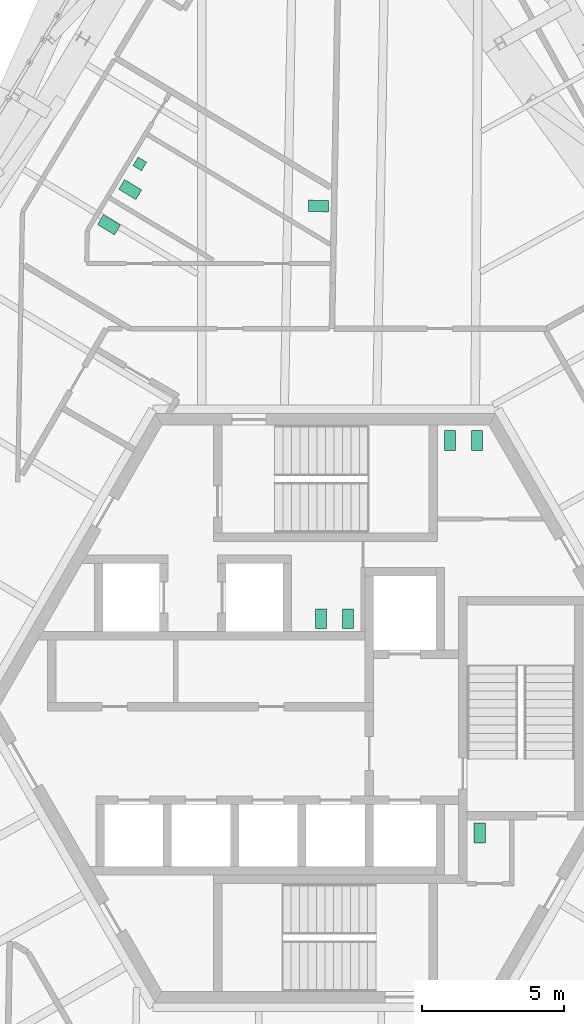
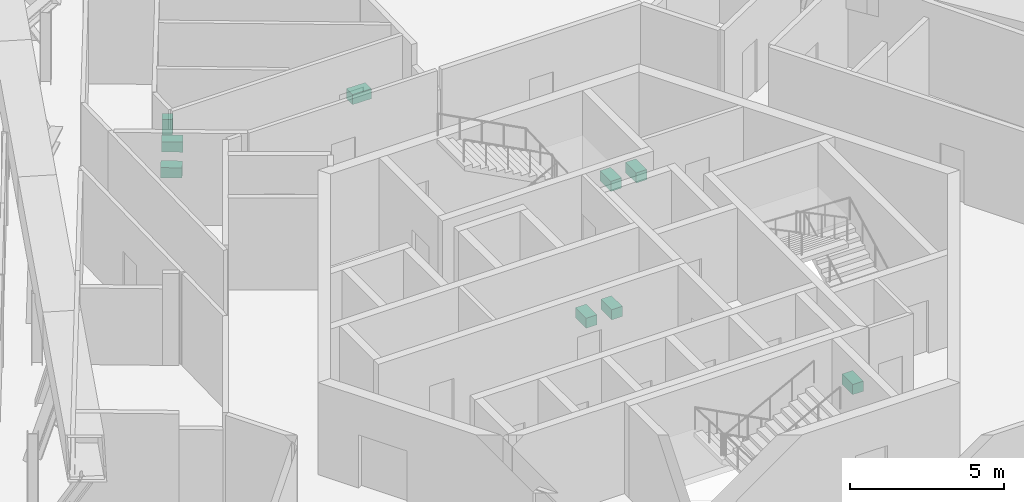
# One storey, part 28 of 28: 9 sanitary terminals.
"""IFC4 building model written with IfcOpenShell, lengths in metres."""

import ifcopenshell
import ifcopenshell.guid

model = None  # the IFC model being written
_history = None  # IfcOwnerHistory: only IFC2X3 demands one
_inside = {}  # id of a spatial element -> (the spatial element, [elements in it])
_under = {}  # id of a project, library or spatial element -> (it, [spatial elements below it])
_declared = {}  # id of a project -> (the project, [libraries it declares])
_typed = {}  # id of a type object -> (the type object, [elements of that type])
_made_of = {}  # id of a material, layer set ... -> (it, [elements and type objects made of it])


def new_model(schema):
    """Start an empty IFC model of exactly this schema.

    Asked for "IFC4X3", IfcOpenShell would pick the latest addendum, in which some entities
    have other attributes; the version numbers below select the first issue.
    IFC2X3 requires an IfcOwnerHistory on every rooted entity: one is made here for all.
    """
    global model, _history
    if schema == "IFC4X3":
        model = ifcopenshell.file(schema_version=(4, 3, 0, 0))
    else:
        model = ifcopenshell.file(schema=schema)
    _inside.clear()
    _under.clear()
    _declared.clear()
    _typed.clear()
    _made_of.clear()
    _history = None
    if model.schema == "IFC2X3":
        org = make("IfcOrganization", Name="unknown")
        user = make(
            "IfcPersonAndOrganization",
            ThePerson=make("IfcPerson", FamilyName="unknown"),
            TheOrganization=org,
        )
        app = make(
            "IfcApplication",
            ApplicationDeveloper=org,
            Version="unknown",
            ApplicationFullName="unknown",
            ApplicationIdentifier="unknown",
        )
        _history = make(
            "IfcOwnerHistory",
            OwningUser=user,
            OwningApplication=app,
            ChangeAction="ADDED",
            CreationDate=0,
        )
    return model


def make(cls, **values):
    """One entity of the class cls with the attributes given. An attribute that is None is left unset."""
    return model.create_entity(
        cls, **{name: value for name, value in values.items() if value is not None}
    )


def rooted(cls, **values):
    """An entity with a GlobalId (a new one), such as an element, a storey or a relation."""
    return make(cls, GlobalId=ifcopenshell.guid.new(), OwnerHistory=_history, **values)


def si_unit(unit_type, name, prefix=None):
    """IfcSIUnit, for example si_unit("LENGTHUNIT", "METRE", prefix="MILLI")."""
    return make("IfcSIUnit", UnitType=unit_type, Prefix=prefix, Name=name)


def assignment(units):
    """IfcUnitAssignment: the units of a project."""
    return None if units is None else make("IfcUnitAssignment", Units=units)


def point(xyz):
    """IfcCartesianPoint."""
    return None if xyz is None else make("IfcCartesianPoint", Coordinates=xyz)


def direction(xyz):
    """IfcDirection."""
    return None if xyz is None else make("IfcDirection", DirectionRatios=xyz)


def frame(location, z_axis=None, x_axis=None):
    """IfcAxis2Placement3D, a coordinate frame: its origin and axes. An axis left out is left unset."""
    return make(
        "IfcAxis2Placement3D",
        Location=point(location),
        Axis=direction(z_axis),
        RefDirection=direction(x_axis),
    )


def frame_2d(location, x_axis=None):
    """IfcAxis2Placement2D, a coordinate frame in the plane: its origin and x axis."""
    return make(
        "IfcAxis2Placement2D", Location=point(location), RefDirection=direction(x_axis)
    )


def origin():
    """The frame at (0, 0, 0) with its axes left unset."""
    return frame((0.0, 0.0, 0.0))


def origin_2d():
    """The frame at (0, 0) in the plane with its x axis left unset."""
    return frame_2d((0.0, 0.0))


def place(relative_to, where):
    """IfcLocalPlacement: puts the frame where relative to a parent placement (None: the world)."""
    return make(
        "IfcLocalPlacement", PlacementRelTo=relative_to, RelativePlacement=where
    )


def context(
    kind, dimensions, precision=None, world=None, true_north=None, identifier=None
):
    """IfcGeometricRepresentationContext, for example the 3D "Model" context."""
    return make(
        "IfcGeometricRepresentationContext",
        ContextIdentifier=identifier,
        ContextType=kind,
        CoordinateSpaceDimension=dimensions,
        Precision=precision,
        WorldCoordinateSystem=world,
        TrueNorth=true_north,
    )


def subcontext(parent, identifier, kind, view, scale=None):
    """IfcGeometricRepresentationSubContext, for example "Body" below "Model"."""
    return make(
        "IfcGeometricRepresentationSubContext",
        ContextIdentifier=identifier,
        ContextType=kind,
        ParentContext=parent,
        TargetScale=scale,
        TargetView=view,
    )


def project(units=None, contexts=None):
    """IfcProject with its units and contexts."""
    return rooted(
        "IfcProject",
        Name="project",
        RepresentationContexts=contexts,
        UnitsInContext=assignment(units),
    )


def spatial(cls, under=None, at=None, **own):
    """A site, building, storey or space (cls), placed at a placement, below another one or the project."""
    s = rooted(cls, ObjectPlacement=at, **own)
    if under is not None:
        _under.setdefault(under.id(), (under, []))[1].append(s)
    return s


def profile(cls, at=None, kind="AREA", **sizes):
    """A parametric profile (cls). Its sizes go by their IFC names, for example OverallWidth=200.0."""
    return make(cls, ProfileType=kind, Position=at, **sizes)


def rectangle(**sizes):
    """IfcRectangleProfileDef."""
    return profile("IfcRectangleProfileDef", **sizes)


def extrude(swept, where, along, depth):
    """IfcExtrudedAreaSolid: the profile swept, set in the frame where, extruded along a direction by depth."""
    return make(
        "IfcExtrudedAreaSolid",
        SweptArea=swept,
        Position=where,
        ExtrudedDirection=direction(along),
        Depth=depth,
    )


def shape(context_of_items, identifier, shape_type, items):
    """IfcShapeRepresentation: the items that make up one representation, for example the "Body"."""
    return make(
        "IfcShapeRepresentation",
        ContextOfItems=context_of_items,
        RepresentationIdentifier=identifier,
        RepresentationType=shape_type,
        Items=items,
    )


def source(mapping_origin, context_of_items, identifier, shape_type, items):
    """IfcRepresentationMap: a shape defined once, which mapped items show again and again."""
    return make(
        "IfcRepresentationMap",
        MappingOrigin=mapping_origin,
        MappedRepresentation=shape(context_of_items, identifier, shape_type, items),
    )


def transform(
    local_origin,
    x_axis=None,
    y_axis=None,
    z_axis=None,
    scale=None,
    scale2=None,
    scale3=None,
    uniform=True,
):
    """IfcCartesianTransformationOperator3D, or its non-uniform kind. x_axis, y_axis, z_axis: its Axis1, 2, 3."""
    if uniform:
        return make(
            "IfcCartesianTransformationOperator3D",
            Axis1=direction(x_axis),
            Axis2=direction(y_axis),
            LocalOrigin=point(local_origin),
            Scale=scale,
            Axis3=direction(z_axis),
        )
    return make(
        "IfcCartesianTransformationOperator3DnonUniform",
        Axis1=direction(x_axis),
        Axis2=direction(y_axis),
        LocalOrigin=point(local_origin),
        Scale=scale,
        Axis3=direction(z_axis),
        Scale2=scale2,
        Scale3=scale3,
    )


def mapped(mapping_source, mapping_target):
    """IfcMappedItem: shows the shape of a source again, moved by a transform."""
    return make(
        "IfcMappedItem", MappingSource=mapping_source, MappingTarget=mapping_target
    )


def material(Name=None, Category=None):
    """IfcMaterial."""
    return make("IfcMaterial", Name=Name, Category=Category)


def made_of(thing, what):
    """Note that an element or type object is made of a material, layer set ...; save() writes the relation."""
    if what is not None:
        _made_of.setdefault(what.id(), (what, []))[1].append(thing)
    return thing


def element(
    cls,
    number,
    at=None,
    inside=None,
    cuts=None,
    type_object=None,
    material=None,
    context=None,
    identifier="Body",
    shape_type=None,
    held_by="IfcProductDefinitionShape",
    body=None,
    shapes=None,
    **own,
):
    """One element of the class cls, such as IfcWall. Its Tag is "e" and its number.

    at: its placement. inside: the storey or other place that contains it. cuts: it is an
    opening in that element (IfcRelVoidsElement). A single representation is given by context,
    identifier, shape_type and body (its items); several are given by shapes. held_by: the class
    of the entity that holds the representations. save() writes the other relations.
    """
    e = rooted(cls, Tag="e%d" % number, ObjectPlacement=at, **own)
    if body is not None:
        shapes = [shape(context, identifier, shape_type, body)]
    if shapes is not None:
        e.Representation = make(held_by, Representations=shapes)
    if inside is not None:
        _inside.setdefault(inside.id(), (inside, []))[1].append(e)
    if cuts is not None:
        rooted(
            "IfcRelVoidsElement", RelatingBuildingElement=cuts, RelatedOpeningElement=e
        )
    if type_object is not None:
        _typed.setdefault(type_object.id(), (type_object, []))[1].append(e)
    return made_of(e, material)


def aggregate(whole, parts):
    """IfcRelAggregates: a whole, such as a stair, and the parts it consists of."""
    return rooted("IfcRelAggregates", RelatingObject=whole, RelatedObjects=parts)


def save(model, path):
    """Write the relations noted so far, then the file.

    IfcRelAggregates (storeys below a building ...), IfcRelContainedInSpatialStructure (elements
    in a storey), IfcRelDefinesByType, IfcRelAssociatesMaterial and IfcRelDeclares: one each for
    every whole, place, type object, material and project.
    """
    for whole, parts in _under.values():
        aggregate(whole, parts)
    for where, things in _inside.values():
        rooted(
            "IfcRelContainedInSpatialStructure",
            RelatedElements=things,
            RelatingStructure=where,
        )
    for kind, things in _typed.values():
        rooted("IfcRelDefinesByType", RelatedObjects=things, RelatingType=kind)
    for what, things in _made_of.values():
        rooted("IfcRelAssociatesMaterial", RelatedObjects=things, RelatingMaterial=what)
    for by, libraries in _declared.values():
        rooted("IfcRelDeclares", RelatingContext=by, RelatedDefinitions=libraries)
    model.write(path)


model = new_model("IFC4")

# Units and contexts
model_context = context("Model", 3, precision=1e-05, world=origin(), true_north=direction((0.0, 1.0)))
body_context = subcontext(model_context, "Body", "Model", "MODEL_VIEW")
ifc_project = project(units=[si_unit("LENGTHUNIT", "METRE"), si_unit("AREAUNIT", "SQUARE_METRE"), si_unit("VOLUMEUNIT", "CUBIC_METRE"), si_unit("PLANEANGLEUNIT", "RADIAN"), si_unit("MASSUNIT", "GRAM", prefix="KILO")], contexts=[model_context])

# Site, building, storey
site_placement = place(None, origin())
site = spatial("IfcSite", under=ifc_project, at=site_placement, CompositionType="ELEMENT")
building_placement = place(site_placement, origin())
building = spatial("IfcBuilding", under=site, at=building_placement, Name="Triune Harvest Tower", CompositionType="ELEMENT")
storey_placement = place(building_placement, frame((0.0, 0.0, 215.89990234375)))
storey = spatial("IfcBuildingStorey", under=building, at=storey_placement, Name="L56", CompositionType="ELEMENT", Elevation=215.89990234375)

# Sanitary terminals
ifc_material = material(Name="Vitreous china")
shared_shape_1 = source(origin(), body_context, "Body", "SweptSolid", [
    extrude(rectangle(XDim=0.39990234375, YDim=0.699951171875, at=origin_2d()), origin(), (0.0, 0.0, 1.0), 0.39990234375),
])
for number, where, z_axis, x_axis, name in (
    (1, (4.39990234375, 9.449951171875, 0.000244140625), (0.0, 0.0, 1.0), (1.0, 0.0, 0.0), "Toilet pan L56.c01"),
    (2, (5.35009765625, 9.449951171875, 0.000244140625), (0.0, 0.0, 1.0), (1.0, 0.0, 0.0), "Toilet pan L56.c02"),
    (3, (0.800048828125, 3.159912109375, 0.000244140625), (0.0, 0.0, 1.0), (-1.0, 0.0, 0.0), "Toilet pan L56.c03"),
    (4, (-0.14990234375, 3.159912109375, 0.000244140625), (0.0, 0.0, 1.0), (-1.0, 0.0, 0.0), "Toilet pan L56.c04"),
    (5, (5.449951171875, -4.39990234375, 0.000244140625), (0.0, 0.0, 1.0), (1.0, 0.0, 0.0), "Toilet pan L56.c05"),
    (6, (-0.24072265625, 17.720703125, 0.000244140625), (0.0, 0.0, 1.0), (-0.017469857069, -0.999847390402, 0.0), "Toilet pan 01"),
    (7, (-6.88525390625, 18.30029296875, 0.000244140625), (0.0, 0.0, 1.0), (0.51506799538, 0.85714932196, 0.0), "Toilet pan 02"),
    (8, (-7.633056640625, 17.0556640625, 0.000244140625), (0.0, 0.0, 1.0), (0.515053035223, 0.857158311461, 0.0), "Toilet pan 04"),
):
    element("IfcSanitaryTerminal", number, at=place(storey_placement, frame(where, z_axis=z_axis, x_axis=x_axis)), inside=storey, material=ifc_material, Name=name, PredefinedType="TOILETPAN", context=body_context, shape_type="MappedRepresentation", body=[
        mapped(shared_shape_1, transform((0.0, 0.0, 0.0), scale=1.0)),
    ])
shared_shape_2 = source(origin(), body_context, "Body", "SweptSolid", [
    extrude(rectangle(XDim=0.35009765625, YDim=0.35009765625, at=origin_2d()), origin(), (0.0, 0.0, 1.0), 0.60009765625),
])
sanitary_terminal_placement = place(storey_placement, frame((-6.5458984375, 19.20458984375, 0.0), z_axis=(0.0, 0.0, 1.0), x_axis=(0.51506799538, 0.85714932196, 0.0)))
element("IfcSanitaryTerminal", 9, at=sanitary_terminal_placement, inside=storey, material=ifc_material, Name="Urinal 03", PredefinedType="URINAL", context=body_context, shape_type="MappedRepresentation", body=[
    mapped(shared_shape_2, transform((0.0, 0.0, 0.0), scale=1.0)),
])

save(model, "model.ifc")
